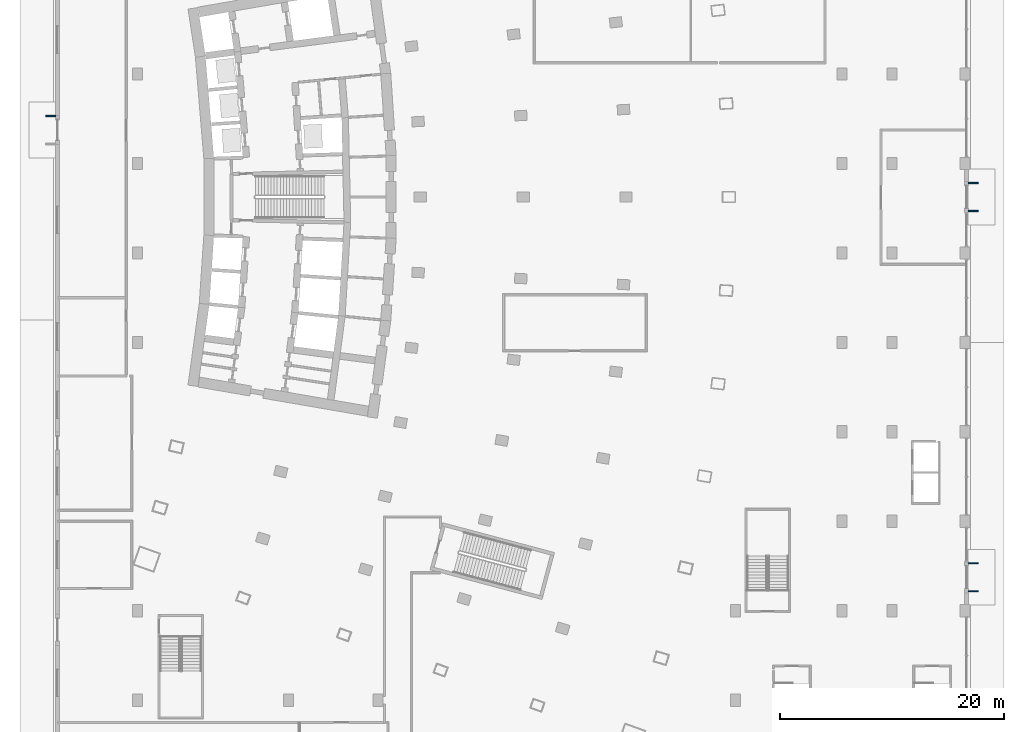
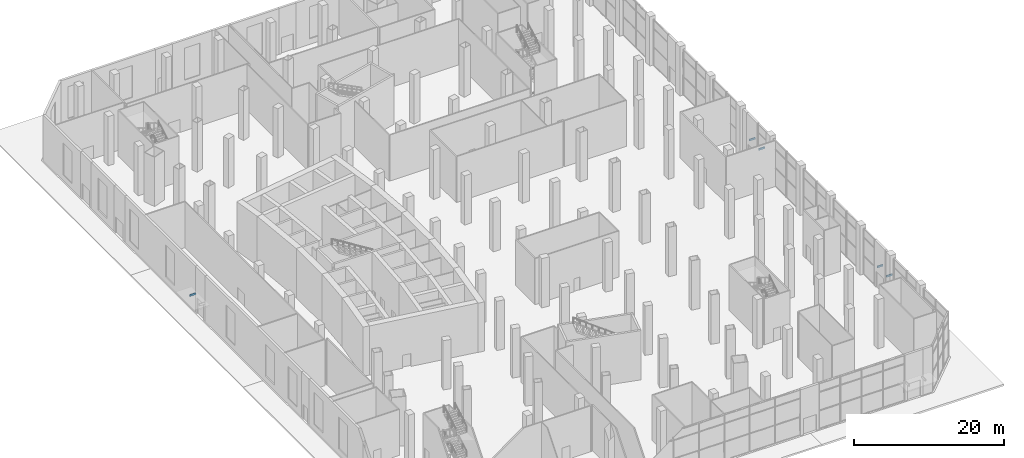
# One storey, part 23 of 33: 5 discrete accessories.
"""IFC4 building model written with IfcOpenShell, lengths in metres."""

import ifcopenshell
import ifcopenshell.guid

model = None  # the IFC model being written
_history = None  # IfcOwnerHistory: only IFC2X3 demands one
_inside = {}  # id of a spatial element -> (the spatial element, [elements in it])
_under = {}  # id of a project, library or spatial element -> (it, [spatial elements below it])
_declared = {}  # id of a project -> (the project, [libraries it declares])
_typed = {}  # id of a type object -> (the type object, [elements of that type])
_made_of = {}  # id of a material, layer set ... -> (it, [elements and type objects made of it])


def new_model(schema):
    """Start an empty IFC model of exactly this schema.

    Asked for "IFC4X3", IfcOpenShell would pick the latest addendum, in which some entities
    have other attributes; the version numbers below select the first issue.
    IFC2X3 requires an IfcOwnerHistory on every rooted entity: one is made here for all.
    """
    global model, _history
    if schema == "IFC4X3":
        model = ifcopenshell.file(schema_version=(4, 3, 0, 0))
    else:
        model = ifcopenshell.file(schema=schema)
    _inside.clear()
    _under.clear()
    _declared.clear()
    _typed.clear()
    _made_of.clear()
    _history = None
    if model.schema == "IFC2X3":
        org = make("IfcOrganization", Name="unknown")
        user = make(
            "IfcPersonAndOrganization",
            ThePerson=make("IfcPerson", FamilyName="unknown"),
            TheOrganization=org,
        )
        app = make(
            "IfcApplication",
            ApplicationDeveloper=org,
            Version="unknown",
            ApplicationFullName="unknown",
            ApplicationIdentifier="unknown",
        )
        _history = make(
            "IfcOwnerHistory",
            OwningUser=user,
            OwningApplication=app,
            ChangeAction="ADDED",
            CreationDate=0,
        )
    return model


def make(cls, **values):
    """One entity of the class cls with the attributes given. An attribute that is None is left unset."""
    return model.create_entity(
        cls, **{name: value for name, value in values.items() if value is not None}
    )


def rooted(cls, **values):
    """An entity with a GlobalId (a new one), such as an element, a storey or a relation."""
    return make(cls, GlobalId=ifcopenshell.guid.new(), OwnerHistory=_history, **values)


def si_unit(unit_type, name, prefix=None):
    """IfcSIUnit, for example si_unit("LENGTHUNIT", "METRE", prefix="MILLI")."""
    return make("IfcSIUnit", UnitType=unit_type, Prefix=prefix, Name=name)


def assignment(units):
    """IfcUnitAssignment: the units of a project."""
    return None if units is None else make("IfcUnitAssignment", Units=units)


def point(xyz):
    """IfcCartesianPoint."""
    return None if xyz is None else make("IfcCartesianPoint", Coordinates=xyz)


def direction(xyz):
    """IfcDirection."""
    return None if xyz is None else make("IfcDirection", DirectionRatios=xyz)


def frame(location, z_axis=None, x_axis=None):
    """IfcAxis2Placement3D, a coordinate frame: its origin and axes. An axis left out is left unset."""
    return make(
        "IfcAxis2Placement3D",
        Location=point(location),
        Axis=direction(z_axis),
        RefDirection=direction(x_axis),
    )


def frame_2d(location, x_axis=None):
    """IfcAxis2Placement2D, a coordinate frame in the plane: its origin and x axis."""
    return make(
        "IfcAxis2Placement2D", Location=point(location), RefDirection=direction(x_axis)
    )


def origin():
    """The frame at (0, 0, 0) with its axes left unset."""
    return frame((0.0, 0.0, 0.0))


def origin_2d():
    """The frame at (0, 0) in the plane with its x axis left unset."""
    return frame_2d((0.0, 0.0))


def place(relative_to, where):
    """IfcLocalPlacement: puts the frame where relative to a parent placement (None: the world)."""
    return make(
        "IfcLocalPlacement", PlacementRelTo=relative_to, RelativePlacement=where
    )


def context(
    kind, dimensions, precision=None, world=None, true_north=None, identifier=None
):
    """IfcGeometricRepresentationContext, for example the 3D "Model" context."""
    return make(
        "IfcGeometricRepresentationContext",
        ContextIdentifier=identifier,
        ContextType=kind,
        CoordinateSpaceDimension=dimensions,
        Precision=precision,
        WorldCoordinateSystem=world,
        TrueNorth=true_north,
    )


def subcontext(parent, identifier, kind, view, scale=None):
    """IfcGeometricRepresentationSubContext, for example "Body" below "Model"."""
    return make(
        "IfcGeometricRepresentationSubContext",
        ContextIdentifier=identifier,
        ContextType=kind,
        ParentContext=parent,
        TargetScale=scale,
        TargetView=view,
    )


def project(units=None, contexts=None):
    """IfcProject with its units and contexts."""
    return rooted(
        "IfcProject",
        Name="project",
        RepresentationContexts=contexts,
        UnitsInContext=assignment(units),
    )


def spatial(cls, under=None, at=None, **own):
    """A site, building, storey or space (cls), placed at a placement, below another one or the project."""
    s = rooted(cls, ObjectPlacement=at, **own)
    if under is not None:
        _under.setdefault(under.id(), (under, []))[1].append(s)
    return s


def profile(cls, at=None, kind="AREA", **sizes):
    """A parametric profile (cls). Its sizes go by their IFC names, for example OverallWidth=200.0."""
    return make(cls, ProfileType=kind, Position=at, **sizes)


def rectangle(**sizes):
    """IfcRectangleProfileDef."""
    return profile("IfcRectangleProfileDef", **sizes)


def extrude(swept, where, along, depth):
    """IfcExtrudedAreaSolid: the profile swept, set in the frame where, extruded along a direction by depth."""
    return make(
        "IfcExtrudedAreaSolid",
        SweptArea=swept,
        Position=where,
        ExtrudedDirection=direction(along),
        Depth=depth,
    )


def shape(context_of_items, identifier, shape_type, items):
    """IfcShapeRepresentation: the items that make up one representation, for example the "Body"."""
    return make(
        "IfcShapeRepresentation",
        ContextOfItems=context_of_items,
        RepresentationIdentifier=identifier,
        RepresentationType=shape_type,
        Items=items,
    )


def material(Name=None, Category=None):
    """IfcMaterial."""
    return make("IfcMaterial", Name=Name, Category=Category)


def made_of(thing, what):
    """Note that an element or type object is made of a material, layer set ...; save() writes the relation."""
    if what is not None:
        _made_of.setdefault(what.id(), (what, []))[1].append(thing)
    return thing


def type_object(cls, material=None, **own):
    """A type object (cls), such as IfcWallType, which elements share."""
    return made_of(rooted(cls, **own), material)


def element(
    cls,
    number,
    at=None,
    inside=None,
    cuts=None,
    type_object=None,
    material=None,
    context=None,
    identifier="Body",
    shape_type=None,
    held_by="IfcProductDefinitionShape",
    body=None,
    shapes=None,
    **own,
):
    """One element of the class cls, such as IfcWall. Its Tag is "e" and its number.

    at: its placement. inside: the storey or other place that contains it. cuts: it is an
    opening in that element (IfcRelVoidsElement). A single representation is given by context,
    identifier, shape_type and body (its items); several are given by shapes. held_by: the class
    of the entity that holds the representations. save() writes the other relations.
    """
    e = rooted(cls, Tag="e%d" % number, ObjectPlacement=at, **own)
    if body is not None:
        shapes = [shape(context, identifier, shape_type, body)]
    if shapes is not None:
        e.Representation = make(held_by, Representations=shapes)
    if inside is not None:
        _inside.setdefault(inside.id(), (inside, []))[1].append(e)
    if cuts is not None:
        rooted(
            "IfcRelVoidsElement", RelatingBuildingElement=cuts, RelatedOpeningElement=e
        )
    if type_object is not None:
        _typed.setdefault(type_object.id(), (type_object, []))[1].append(e)
    return made_of(e, material)


def aggregate(whole, parts):
    """IfcRelAggregates: a whole, such as a stair, and the parts it consists of."""
    return rooted("IfcRelAggregates", RelatingObject=whole, RelatedObjects=parts)


def save(model, path):
    """Write the relations noted so far, then the file.

    IfcRelAggregates (storeys below a building ...), IfcRelContainedInSpatialStructure (elements
    in a storey), IfcRelDefinesByType, IfcRelAssociatesMaterial and IfcRelDeclares: one each for
    every whole, place, type object, material and project.
    """
    for whole, parts in _under.values():
        aggregate(whole, parts)
    for where, things in _inside.values():
        rooted(
            "IfcRelContainedInSpatialStructure",
            RelatedElements=things,
            RelatingStructure=where,
        )
    for kind, things in _typed.values():
        rooted("IfcRelDefinesByType", RelatedObjects=things, RelatingType=kind)
    for what, things in _made_of.values():
        rooted("IfcRelAssociatesMaterial", RelatedObjects=things, RelatingMaterial=what)
    for by, libraries in _declared.values():
        rooted("IfcRelDeclares", RelatingContext=by, RelatedDefinitions=libraries)
    model.write(path)


model = new_model("IFC4")

# Units and contexts
model_context = context("Model", 3, precision=1e-05, world=origin(), true_north=direction((0.0, 1.0)))
body_context = subcontext(model_context, "Body", "Model", "MODEL_VIEW")
ifc_project = project(units=[si_unit("LENGTHUNIT", "METRE"), si_unit("AREAUNIT", "SQUARE_METRE"), si_unit("VOLUMEUNIT", "CUBIC_METRE"), si_unit("PLANEANGLEUNIT", "RADIAN"), si_unit("MASSUNIT", "GRAM", prefix="KILO")], contexts=[model_context])

# Site, building, storey
site_placement = place(None, origin())
site = spatial("IfcSite", under=ifc_project, at=site_placement, CompositionType="ELEMENT")
building_placement = place(site_placement, origin())
building = spatial("IfcBuilding", under=site, at=building_placement, Name="Alderwake Tower", CompositionType="ELEMENT")
storey_placement = place(building_placement, origin())
storey = spatial("IfcBuildingStorey", under=building, at=storey_placement, Name="L00", CompositionType="ELEMENT", Elevation=0.0)

# Discrete accessories
ifc_material = material(Name="Steel ASTM A36 painted", Category="steel")
discrete_accessory_type = type_object("IfcDiscreteAccessoryType", Name="Canopy bracket", PredefinedType="BRACKET", material=ifc_material)
for number, where, z_axis, x_axis, name in (
    (1, (85.25, 25.75, 2.8701171875), (0.0, 0.0, 1.0), (-1.0, 0.0, 0.0), "Canopy bracket 02.1"),
    (2, (85.25, 28.25, 2.8701171875), (0.0, 0.0, 1.0), (-1.0, 0.0, 0.0), "Canopy bracket 02.2"),
    (3, (85.25, 59.75, 2.8701171875), (0.0, 0.0, 1.0), (-1.0, 0.0, 0.0), "Canopy bracket 03.1"),
    (4, (85.25, 62.25, 2.8701171875), (0.0, 0.0, 1.0), (-1.0, 0.0, 0.0), "Canopy bracket 03.2"),
    (5, (2.75, 68.25, 2.8701171875), (0.0, 0.0, 1.0), (1.0, 0.0, 0.0), "Canopy bracket 07.1"),
):
    element("IfcDiscreteAccessory", number, at=place(storey_placement, frame(where, z_axis=z_axis, x_axis=x_axis)), inside=storey, type_object=discrete_accessory_type, Name=name, PredefinedType="BRACKET", context=body_context, shape_type="SweptSolid", body=[
        extrude(rectangle(XDim=0.89990234375, YDim=0.1201171875, at=origin_2d()), origin(), (0.0, 0.0, 1.0), 0.300048828125),
    ])

save(model, "model.ifc")
